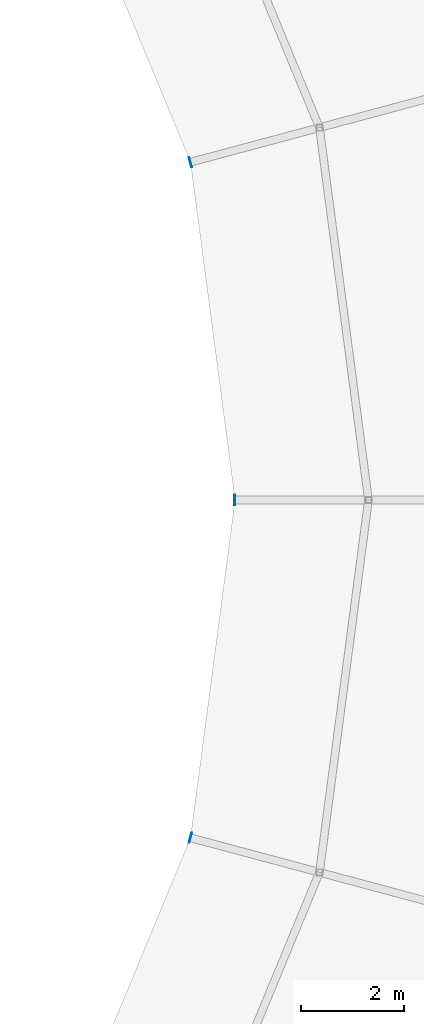
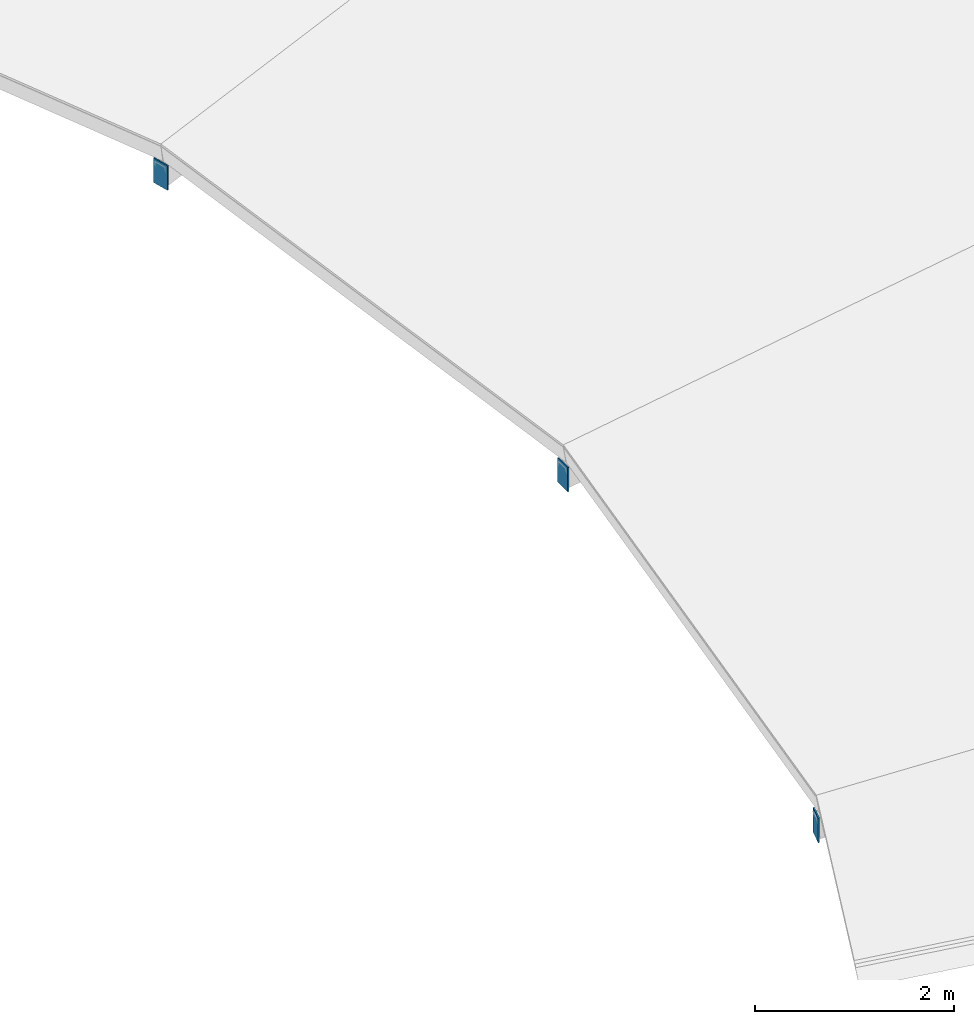
# One storey, part 173 of 200: 3 plates.
"""IFC4 building model written with IfcOpenShell, lengths in metres."""

import ifcopenshell
import ifcopenshell.guid

model = None  # the IFC model being written
_history = None  # IfcOwnerHistory: only IFC2X3 demands one
_inside = {}  # id of a spatial element -> (the spatial element, [elements in it])
_under = {}  # id of a project, library or spatial element -> (it, [spatial elements below it])
_declared = {}  # id of a project -> (the project, [libraries it declares])
_typed = {}  # id of a type object -> (the type object, [elements of that type])
_made_of = {}  # id of a material, layer set ... -> (it, [elements and type objects made of it])


def new_model(schema):
    """Start an empty IFC model of exactly this schema.

    Asked for "IFC4X3", IfcOpenShell would pick the latest addendum, in which some entities
    have other attributes; the version numbers below select the first issue.
    IFC2X3 requires an IfcOwnerHistory on every rooted entity: one is made here for all.
    """
    global model, _history
    if schema == "IFC4X3":
        model = ifcopenshell.file(schema_version=(4, 3, 0, 0))
    else:
        model = ifcopenshell.file(schema=schema)
    _inside.clear()
    _under.clear()
    _declared.clear()
    _typed.clear()
    _made_of.clear()
    _history = None
    if model.schema == "IFC2X3":
        org = make("IfcOrganization", Name="unknown")
        user = make(
            "IfcPersonAndOrganization",
            ThePerson=make("IfcPerson", FamilyName="unknown"),
            TheOrganization=org,
        )
        app = make(
            "IfcApplication",
            ApplicationDeveloper=org,
            Version="unknown",
            ApplicationFullName="unknown",
            ApplicationIdentifier="unknown",
        )
        _history = make(
            "IfcOwnerHistory",
            OwningUser=user,
            OwningApplication=app,
            ChangeAction="ADDED",
            CreationDate=0,
        )
    return model


def make(cls, **values):
    """One entity of the class cls with the attributes given. An attribute that is None is left unset."""
    return model.create_entity(
        cls, **{name: value for name, value in values.items() if value is not None}
    )


def rooted(cls, **values):
    """An entity with a GlobalId (a new one), such as an element, a storey or a relation."""
    return make(cls, GlobalId=ifcopenshell.guid.new(), OwnerHistory=_history, **values)


def si_unit(unit_type, name, prefix=None):
    """IfcSIUnit, for example si_unit("LENGTHUNIT", "METRE", prefix="MILLI")."""
    return make("IfcSIUnit", UnitType=unit_type, Prefix=prefix, Name=name)


def assignment(units):
    """IfcUnitAssignment: the units of a project."""
    return None if units is None else make("IfcUnitAssignment", Units=units)


def point(xyz):
    """IfcCartesianPoint."""
    return None if xyz is None else make("IfcCartesianPoint", Coordinates=xyz)


def direction(xyz):
    """IfcDirection."""
    return None if xyz is None else make("IfcDirection", DirectionRatios=xyz)


def frame(location, z_axis=None, x_axis=None):
    """IfcAxis2Placement3D, a coordinate frame: its origin and axes. An axis left out is left unset."""
    return make(
        "IfcAxis2Placement3D",
        Location=point(location),
        Axis=direction(z_axis),
        RefDirection=direction(x_axis),
    )


def frame_2d(location, x_axis=None):
    """IfcAxis2Placement2D, a coordinate frame in the plane: its origin and x axis."""
    return make(
        "IfcAxis2Placement2D", Location=point(location), RefDirection=direction(x_axis)
    )


def origin():
    """The frame at (0, 0, 0) with its axes left unset."""
    return frame((0.0, 0.0, 0.0))


def origin_2d():
    """The frame at (0, 0) in the plane with its x axis left unset."""
    return frame_2d((0.0, 0.0))


def place(relative_to, where):
    """IfcLocalPlacement: puts the frame where relative to a parent placement (None: the world)."""
    return make(
        "IfcLocalPlacement", PlacementRelTo=relative_to, RelativePlacement=where
    )


def context(
    kind, dimensions, precision=None, world=None, true_north=None, identifier=None
):
    """IfcGeometricRepresentationContext, for example the 3D "Model" context."""
    return make(
        "IfcGeometricRepresentationContext",
        ContextIdentifier=identifier,
        ContextType=kind,
        CoordinateSpaceDimension=dimensions,
        Precision=precision,
        WorldCoordinateSystem=world,
        TrueNorth=true_north,
    )


def subcontext(parent, identifier, kind, view, scale=None):
    """IfcGeometricRepresentationSubContext, for example "Body" below "Model"."""
    return make(
        "IfcGeometricRepresentationSubContext",
        ContextIdentifier=identifier,
        ContextType=kind,
        ParentContext=parent,
        TargetScale=scale,
        TargetView=view,
    )


def project(units=None, contexts=None):
    """IfcProject with its units and contexts."""
    return rooted(
        "IfcProject",
        Name="project",
        RepresentationContexts=contexts,
        UnitsInContext=assignment(units),
    )


def spatial(cls, under=None, at=None, **own):
    """A site, building, storey or space (cls), placed at a placement, below another one or the project."""
    s = rooted(cls, ObjectPlacement=at, **own)
    if under is not None:
        _under.setdefault(under.id(), (under, []))[1].append(s)
    return s


def profile(cls, at=None, kind="AREA", **sizes):
    """A parametric profile (cls). Its sizes go by their IFC names, for example OverallWidth=200.0."""
    return make(cls, ProfileType=kind, Position=at, **sizes)


def rectangle(**sizes):
    """IfcRectangleProfileDef."""
    return profile("IfcRectangleProfileDef", **sizes)


def extrude(swept, where, along, depth):
    """IfcExtrudedAreaSolid: the profile swept, set in the frame where, extruded along a direction by depth."""
    return make(
        "IfcExtrudedAreaSolid",
        SweptArea=swept,
        Position=where,
        ExtrudedDirection=direction(along),
        Depth=depth,
    )


def shape(context_of_items, identifier, shape_type, items):
    """IfcShapeRepresentation: the items that make up one representation, for example the "Body"."""
    return make(
        "IfcShapeRepresentation",
        ContextOfItems=context_of_items,
        RepresentationIdentifier=identifier,
        RepresentationType=shape_type,
        Items=items,
    )


def material(Name=None, Category=None):
    """IfcMaterial."""
    return make("IfcMaterial", Name=Name, Category=Category)


def layer(
    of_material, thickness, ventilated=None, Name=None, Category=None, Priority=None
):
    """IfcMaterialLayer: one layer of a wall or slab, of a material (None: an air gap)."""
    return make(
        "IfcMaterialLayer",
        Material=of_material,
        LayerThickness=thickness,
        IsVentilated=ventilated,
        Name=Name,
        Category=Category,
        Priority=Priority,
    )


def layer_set(layers, Name=None):
    """IfcMaterialLayerSet."""
    return make("IfcMaterialLayerSet", MaterialLayers=layers, LayerSetName=Name)


def made_of(thing, what):
    """Note that an element or type object is made of a material, layer set ...; save() writes the relation."""
    if what is not None:
        _made_of.setdefault(what.id(), (what, []))[1].append(thing)
    return thing


def type_object(cls, material=None, **own):
    """A type object (cls), such as IfcWallType, which elements share."""
    return made_of(rooted(cls, **own), material)


def element(
    cls,
    number,
    at=None,
    inside=None,
    cuts=None,
    type_object=None,
    material=None,
    context=None,
    identifier="Body",
    shape_type=None,
    held_by="IfcProductDefinitionShape",
    body=None,
    shapes=None,
    **own,
):
    """One element of the class cls, such as IfcWall. Its Tag is "e" and its number.

    at: its placement. inside: the storey or other place that contains it. cuts: it is an
    opening in that element (IfcRelVoidsElement). A single representation is given by context,
    identifier, shape_type and body (its items); several are given by shapes. held_by: the class
    of the entity that holds the representations. save() writes the other relations.
    """
    e = rooted(cls, Tag="e%d" % number, ObjectPlacement=at, **own)
    if body is not None:
        shapes = [shape(context, identifier, shape_type, body)]
    if shapes is not None:
        e.Representation = make(held_by, Representations=shapes)
    if inside is not None:
        _inside.setdefault(inside.id(), (inside, []))[1].append(e)
    if cuts is not None:
        rooted(
            "IfcRelVoidsElement", RelatingBuildingElement=cuts, RelatedOpeningElement=e
        )
    if type_object is not None:
        _typed.setdefault(type_object.id(), (type_object, []))[1].append(e)
    return made_of(e, material)


def aggregate(whole, parts):
    """IfcRelAggregates: a whole, such as a stair, and the parts it consists of."""
    return rooted("IfcRelAggregates", RelatingObject=whole, RelatedObjects=parts)


def save(model, path):
    """Write the relations noted so far, then the file.

    IfcRelAggregates (storeys below a building ...), IfcRelContainedInSpatialStructure (elements
    in a storey), IfcRelDefinesByType, IfcRelAssociatesMaterial and IfcRelDeclares: one each for
    every whole, place, type object, material and project.
    """
    for whole, parts in _under.values():
        aggregate(whole, parts)
    for where, things in _inside.values():
        rooted(
            "IfcRelContainedInSpatialStructure",
            RelatedElements=things,
            RelatingStructure=where,
        )
    for kind, things in _typed.values():
        rooted("IfcRelDefinesByType", RelatedObjects=things, RelatingType=kind)
    for what, things in _made_of.values():
        rooted("IfcRelAssociatesMaterial", RelatedObjects=things, RelatingMaterial=what)
    for by, libraries in _declared.values():
        rooted("IfcRelDeclares", RelatingContext=by, RelatedDefinitions=libraries)
    model.write(path)


model = new_model("IFC4")

# Units and contexts
model_context = context("Model", 3, precision=1e-05, world=origin(), true_north=direction((0.0, 1.0)))
body_context = subcontext(model_context, "Body", "Model", "MODEL_VIEW")
ifc_project = project(units=[si_unit("LENGTHUNIT", "METRE"), si_unit("AREAUNIT", "SQUARE_METRE"), si_unit("VOLUMEUNIT", "CUBIC_METRE"), si_unit("PLANEANGLEUNIT", "RADIAN"), si_unit("MASSUNIT", "GRAM", prefix="KILO")], contexts=[model_context])

# Site, building, storey
site_placement = place(None, origin())
site = spatial("IfcSite", under=ifc_project, at=site_placement, CompositionType="ELEMENT")
building_placement = place(site_placement, origin())
building = spatial("IfcBuilding", under=site, at=building_placement, Name="Vondelvale Polytechnic", CompositionType="ELEMENT")
storey_placement = place(building_placement, frame((0.0, 0.0, 13.800048828125)))
storey = spatial("IfcBuildingStorey", under=building, at=storey_placement, Name="L03", CompositionType="ELEMENT", Elevation=13.800048828125)

# Plates
ifc_material = material(Name="Steel Grade 350 (fy = 340 MPa)", Category="steel")
ifc_layer = layer(ifc_material, 0.01611328125)
ifc_layer_set = layer_set([ifc_layer], Name="PLATE-CAP-300x200")
plate_type = type_object("IfcPlateType", Name="PLATE-CAP-300x200", PredefinedType="USERDEFINED", material=ifc_layer_set)
for number, where, z_axis, x_axis, name in (
    (1, (127.39990234375, 72.0, -0.1845703125), (0.0, 0.0, 1.0), (-1.0, 0.0, 0.0), "Ring rafter hollow end cap plate 00I"),
    (2, (126.534423828125, 78.573974609375, -0.1845703125), (0.0, 0.0, 1.0), (-0.965925826289, -0.258819045103, 0.0), "Ring rafter hollow end cap plate 01I"),
    (3, (126.534423828125, 65.426025390625, -0.1845703125), (0.0, 0.0, 1.0), (-0.965925826289, 0.258819045103, 0.0), "Ring rafter hollow end cap plate 23I"),
):
    element("IfcPlate", number, at=place(storey_placement, frame(where, z_axis=z_axis, x_axis=x_axis)), inside=storey, type_object=plate_type, Name=name, ObjectType="CAP_PLATE", PredefinedType="USERDEFINED", context=body_context, shape_type="SweptSolid", body=[
        extrude(rectangle(XDim=0.01611328125, YDim=0.199951171875, at=origin_2d()), origin(), (0.0, 0.0, 1.0), 0.300048828125),
    ])

save(model, "model.ifc")
